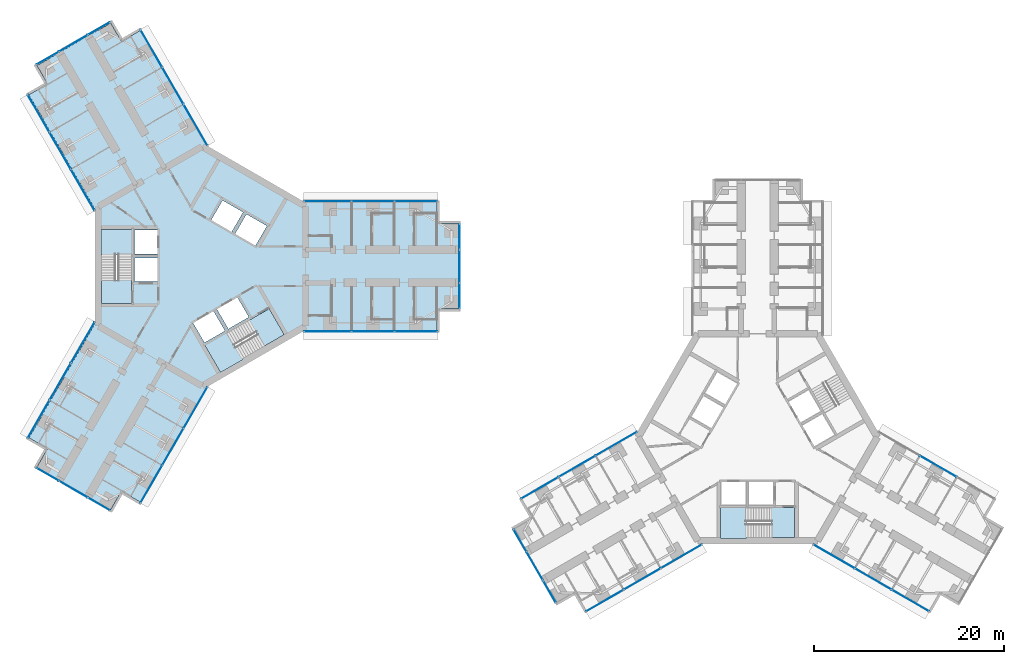
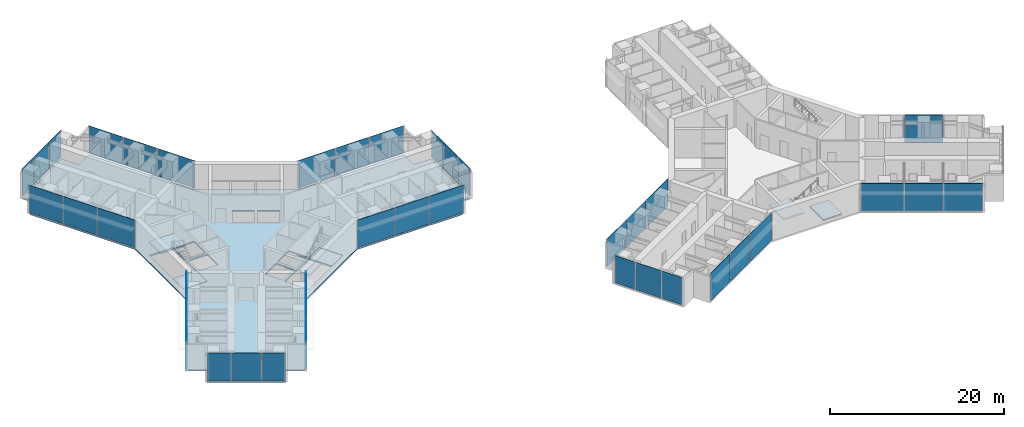
# One storey, part 14 of 25: 40 plates, 7 slabs, 17 elements without a shape of their own.
"""IFC4 building model written with IfcOpenShell, lengths in metres."""

from ifc_helpers import new_model, si_unit, direction, frame, origin, origin_2d, place, context, subcontext, project, spatial, polyline, rectangle, outline, extrude, material, layer, layer_set, type_object, element, aggregate, save


model = new_model("IFC4")

# Units and contexts
model_context = context("Model", 3, precision=1e-05, world=origin(), true_north=direction((0.0, 1.0)))
body_context = subcontext(model_context, "Body", "Model", "MODEL_VIEW")
ifc_project = project(units=[si_unit("LENGTHUNIT", "METRE"), si_unit("AREAUNIT", "SQUARE_METRE"), si_unit("VOLUMEUNIT", "CUBIC_METRE"), si_unit("PLANEANGLEUNIT", "RADIAN"), si_unit("MASSUNIT", "GRAM", prefix="KILO")], contexts=[model_context])

# Site, building, storey
site_placement = place(None, origin())
site = spatial("IfcSite", under=ifc_project, at=site_placement, CompositionType="ELEMENT")
building_placement = place(site_placement, origin())
building = spatial("IfcBuilding", under=site, at=building_placement, Name="Upepo Twin Towers", CompositionType="ELEMENT")
storey_placement = place(building_placement, frame((0.0, 0.0, 88.5)))
storey = spatial("IfcBuildingStorey", under=building, at=storey_placement, Name="L21", CompositionType="ELEMENT", Elevation=88.5)

# Curtain wall, plates
ifc_material_1 = material(Name="Aluminium and fritted glass", Category="aluminium")
curtain_wall_type = type_object("IfcCurtainWallType", Name="Tower curtain wall TW1, fritted glass", PredefinedType="NOTDEFINED", material=ifc_material_1)
curtain_wall_1_placement = place(storey_placement, origin())
curtain_wall_1 = element("IfcCurtainWall", 1, at=curtain_wall_1_placement, inside=storey, type_object=curtain_wall_type, Name="T1 L21 wing A flank L curtain wall", PredefinedType="NOTDEFINED")
ifc_material_2 = material(Name="Ceramic-fritted laminated glass", Category="glass")
ifc_layer_1 = layer(ifc_material_2, 0.031982421875)
ifc_layer_set_1 = layer_set([ifc_layer_1], Name="Fritted glass panel, 30 per cent dot frit, 32 mm double glazed")
plate_type_1 = type_object("IfcPlateType", Name="Fritted glass panel, 30 per cent dot frit, 32 mm double glazed", PredefinedType="CURTAIN_PANEL", material=ifc_layer_set_1)
plate_1_placement = place(storey_placement, frame((13.23486328125, 6.85009765625, 0.14990234375), z_axis=(0.0, 0.0, 1.0), x_axis=(1.0, 0.0, 0.0)))
plate_1 = element("IfcPlate", 2, at=plate_1_placement, type_object=plate_type_1, Name="T1 L21 wing A flank L curtain wall panel 1", PredefinedType="CURTAIN_PANEL", context=body_context, shape_type="SweptSolid", body=[
    extrude(rectangle(XDim=4.96533203125, YDim=0.031982421875, at=origin_2d()), origin(), (0.0, 0.0, 1.0), 3.85009765625),
])
plate_2_placement = place(storey_placement, frame((18.0, 6.85009765625, 0.14990234375), z_axis=(0.0, 0.0, 1.0), x_axis=(1.0, 0.0, 0.0)))
plate_2 = element("IfcPlate", 3, at=plate_2_placement, type_object=plate_type_1, Name="T1 L21 wing A flank L curtain wall panel 2", PredefinedType="CURTAIN_PANEL", context=body_context, shape_type="SweptSolid", body=[
    extrude(rectangle(XDim=4.43505859375, YDim=0.031982421875, at=origin_2d()), origin(), (0.0, 0.0, 1.0), 3.85009765625),
])
plate_3_placement = place(storey_placement, frame((22.53369140625, 6.85009765625, 0.14990234375), z_axis=(0.0, 0.0, 1.0), x_axis=(1.0, 0.0, 0.0)))
plate_3 = element("IfcPlate", 4, at=plate_3_placement, type_object=plate_type_1, Name="T1 L21 wing A flank L curtain wall panel 3", PredefinedType="CURTAIN_PANEL", context=body_context, shape_type="SweptSolid", body=[
    extrude(rectangle(XDim=4.50244140625, YDim=0.031982421875, at=origin_2d()), origin(), (0.0, 0.0, 1.0), 3.85009765625),
])
aggregate(curtain_wall_1, [plate_1, plate_2, plate_3])

curtain_wall_2_placement = place(storey_placement, origin())
curtain_wall_2 = element("IfcCurtainWall", 5, at=curtain_wall_2_placement, inside=storey, type_object=curtain_wall_type, Name="T1 L21 wing A flank R curtain wall", PredefinedType="NOTDEFINED")
plate_4_placement = place(storey_placement, frame((22.53369140625, -6.85009765625, 0.14990234375), z_axis=(0.0, 0.0, 1.0), x_axis=(-1.0, 0.0, 0.0)))
plate_4 = element("IfcPlate", 6, at=plate_4_placement, type_object=plate_type_1, Name="T1 L21 wing A flank R curtain wall panel 1", PredefinedType="CURTAIN_PANEL", context=body_context, shape_type="SweptSolid", body=[
    extrude(rectangle(XDim=4.50244140625, YDim=0.031982421875, at=origin_2d()), origin(), (0.0, 0.0, 1.0), 3.85009765625),
])
plate_5_placement = place(storey_placement, frame((18.0, -6.85009765625, 0.14990234375), z_axis=(0.0, 0.0, 1.0), x_axis=(-1.0, 0.0, 0.0)))
plate_5 = element("IfcPlate", 7, at=plate_5_placement, type_object=plate_type_1, Name="T1 L21 wing A flank R curtain wall panel 2", PredefinedType="CURTAIN_PANEL", context=body_context, shape_type="SweptSolid", body=[
    extrude(rectangle(XDim=4.43505859375, YDim=0.031982421875, at=origin_2d()), origin(), (0.0, 0.0, 1.0), 3.85009765625),
])
plate_6_placement = place(storey_placement, frame((13.23486328125, -6.85009765625, 0.14990234375), z_axis=(0.0, 0.0, 1.0), x_axis=(-1.0, 0.0, 0.0)))
plate_6 = element("IfcPlate", 8, at=plate_6_placement, type_object=plate_type_1, Name="T1 L21 wing A flank R curtain wall panel 3", PredefinedType="CURTAIN_PANEL", context=body_context, shape_type="SweptSolid", body=[
    extrude(rectangle(XDim=4.96533203125, YDim=0.031982421875, at=origin_2d()), origin(), (0.0, 0.0, 1.0), 3.85009765625),
])
aggregate(curtain_wall_2, [plate_4, plate_5, plate_6])

# Curtain wall, plate
curtain_wall_3_placement = place(storey_placement, origin())
curtain_wall_3 = element("IfcCurtainWall", 9, at=curtain_wall_3_placement, inside=storey, type_object=curtain_wall_type, Name="T1 L21 wing A nose curtain wall", PredefinedType="NOTDEFINED")
plate_7_placement = place(storey_placement, frame((27.10009765625, 0.0, 0.14990234375), z_axis=(0.0, 0.0, 1.0), x_axis=(0.0, 1.0, 0.0)))
plate_7 = element("IfcPlate", 10, at=plate_7_placement, type_object=plate_type_1, Name="T1 L21 wing A nose curtain wall panel 2", PredefinedType="CURTAIN_PANEL", context=body_context, shape_type="SweptSolid", body=[
    extrude(rectangle(XDim=3.43505859375, YDim=0.031982421875, at=origin_2d()), origin(), (0.0, 0.0, 1.0), 3.85009765625),
])

# Curtain wall, plates
curtain_wall_4_placement = place(storey_placement, origin())
curtain_wall_4 = element("IfcCurtainWall", 11, at=curtain_wall_4_placement, inside=storey, type_object=curtain_wall_type, Name="T1 L21 wing B flank L curtain wall", PredefinedType="NOTDEFINED")
plate_8_placement = place(storey_placement, frame((-12.549560546875, 8.03662109375, 0.14990234375), z_axis=(0.0, 0.0, 1.0), x_axis=(-0.500000024426, 0.866025389682, 0.0)))
plate_8 = element("IfcPlate", 12, at=plate_8_placement, type_object=plate_type_1, Name="T1 L21 wing B flank L curtain wall panel 1", PredefinedType="CURTAIN_PANEL", context=body_context, shape_type="SweptSolid", body=[
    extrude(rectangle(XDim=4.96533203125, YDim=0.031982421875, at=origin_2d()), origin(), (0.0, 0.0, 1.0), 3.85009765625),
])
plate_9_placement = place(storey_placement, frame((-14.932373046875, 12.16357421875, 0.14990234375), z_axis=(0.0, 0.0, 1.0), x_axis=(-0.500000024426, 0.866025389682, 0.0)))
plate_9 = element("IfcPlate", 13, at=plate_9_placement, type_object=plate_type_1, Name="T1 L21 wing B flank L curtain wall panel 2", PredefinedType="CURTAIN_PANEL", context=body_context, shape_type="SweptSolid", body=[
    extrude(rectangle(XDim=4.43505859375, YDim=0.031982421875, at=origin_2d()), origin(), (0.0, 0.0, 1.0), 3.85009765625),
])
plate_10_placement = place(storey_placement, frame((-17.19921875, 16.08984375, 0.14990234375), z_axis=(0.0, 0.0, 1.0), x_axis=(-0.500000024426, 0.866025389682, 0.0)))
plate_10 = element("IfcPlate", 14, at=plate_10_placement, type_object=plate_type_1, Name="T1 L21 wing B flank L curtain wall panel 3", PredefinedType="CURTAIN_PANEL", context=body_context, shape_type="SweptSolid", body=[
    extrude(rectangle(XDim=4.50244140625, YDim=0.031982421875, at=origin_2d()), origin(), (0.0, 0.0, 1.0), 3.85009765625),
])
aggregate(curtain_wall_4, [plate_8, plate_9, plate_10])

curtain_wall_5_placement = place(storey_placement, origin())
curtain_wall_5 = element("IfcCurtainWall", 15, at=curtain_wall_5_placement, inside=storey, type_object=curtain_wall_type, Name="T1 L21 wing B flank R curtain wall", PredefinedType="NOTDEFINED")
plate_11_placement = place(storey_placement, frame((-5.334716796875, 22.939697265625, 0.14990234375), z_axis=(0.0, 0.0, 1.0), x_axis=(0.500000024426, -0.866025389682, 0.0)))
plate_11 = element("IfcPlate", 16, at=plate_11_placement, type_object=plate_type_1, Name="T1 L21 wing B flank R curtain wall panel 1", PredefinedType="CURTAIN_PANEL", context=body_context, shape_type="SweptSolid", body=[
    extrude(rectangle(XDim=4.50244140625, YDim=0.031982421875, at=origin_2d()), origin(), (0.0, 0.0, 1.0), 3.85009765625),
])
plate_12_placement = place(storey_placement, frame((-3.067626953125, 19.013427734375, 0.14990234375), z_axis=(0.0, 0.0, 1.0), x_axis=(0.500000024426, -0.866025389682, 0.0)))
plate_12 = element("IfcPlate", 17, at=plate_12_placement, type_object=plate_type_1, Name="T1 L21 wing B flank R curtain wall panel 2", PredefinedType="CURTAIN_PANEL", context=body_context, shape_type="SweptSolid", body=[
    extrude(rectangle(XDim=4.43505859375, YDim=0.031982421875, at=origin_2d()), origin(), (0.0, 0.0, 1.0), 3.85009765625),
])
plate_13_placement = place(storey_placement, frame((-0.68505859375, 14.88671875, 0.14990234375), z_axis=(0.0, 0.0, 1.0), x_axis=(0.500000024426, -0.866025389682, 0.0)))
plate_13 = element("IfcPlate", 18, at=plate_13_placement, type_object=plate_type_1, Name="T1 L21 wing B flank R curtain wall panel 3", PredefinedType="CURTAIN_PANEL", context=body_context, shape_type="SweptSolid", body=[
    extrude(rectangle(XDim=4.96533203125, YDim=0.031982421875, at=origin_2d()), origin(), (0.0, 0.0, 1.0), 3.85009765625),
])
aggregate(curtain_wall_5, [plate_11, plate_12, plate_13])

# Curtain wall, plate
curtain_wall_6_placement = place(storey_placement, origin())
curtain_wall_6 = element("IfcCurtainWall", 19, at=curtain_wall_6_placement, inside=storey, type_object=curtain_wall_type, Name="T1 L21 wing B nose curtain wall", PredefinedType="NOTDEFINED")
plate_14_placement = place(storey_placement, frame((-13.550048828125, 23.46923828125, 0.14990234375), z_axis=(0.0, 0.0, 1.0), x_axis=(-0.866025386174, -0.500000030502, 0.0)))
plate_14 = element("IfcPlate", 20, at=plate_14_placement, type_object=plate_type_1, Name="T1 L21 wing B nose curtain wall panel 2", PredefinedType="CURTAIN_PANEL", context=body_context, shape_type="SweptSolid", body=[
    extrude(rectangle(XDim=3.43505859375, YDim=0.031982421875, at=origin_2d()), origin(), (0.0, 0.0, 1.0), 3.85009765625),
])

# Curtain wall, plates
curtain_wall_7_placement = place(storey_placement, origin())
curtain_wall_7 = element("IfcCurtainWall", 21, at=curtain_wall_7_placement, inside=storey, type_object=curtain_wall_type, Name="T1 L21 wing C flank L curtain wall", PredefinedType="NOTDEFINED")
plate_15_placement = place(storey_placement, frame((-0.68505859375, -14.88671875, 0.14990234375), z_axis=(0.0, 0.0, 1.0), x_axis=(-0.500000024426, -0.866025389682, 0.0)))
plate_15 = element("IfcPlate", 22, at=plate_15_placement, type_object=plate_type_1, Name="T1 L21 wing C flank L curtain wall panel 1", PredefinedType="CURTAIN_PANEL", context=body_context, shape_type="SweptSolid", body=[
    extrude(rectangle(XDim=4.96533203125, YDim=0.031982421875, at=origin_2d()), origin(), (0.0, 0.0, 1.0), 3.85009765625),
])
plate_16_placement = place(storey_placement, frame((-3.067626953125, -19.013427734375, 0.14990234375), z_axis=(0.0, 0.0, 1.0), x_axis=(-0.500000024426, -0.866025389682, 0.0)))
plate_16 = element("IfcPlate", 23, at=plate_16_placement, type_object=plate_type_1, Name="T1 L21 wing C flank L curtain wall panel 2", PredefinedType="CURTAIN_PANEL", context=body_context, shape_type="SweptSolid", body=[
    extrude(rectangle(XDim=4.43505859375, YDim=0.031982421875, at=origin_2d()), origin(), (0.0, 0.0, 1.0), 3.85009765625),
])
plate_17_placement = place(storey_placement, frame((-5.334716796875, -22.939697265625, 0.14990234375), z_axis=(0.0, 0.0, 1.0), x_axis=(-0.500000024426, -0.866025389682, 0.0)))
plate_17 = element("IfcPlate", 24, at=plate_17_placement, type_object=plate_type_1, Name="T1 L21 wing C flank L curtain wall panel 3", PredefinedType="CURTAIN_PANEL", context=body_context, shape_type="SweptSolid", body=[
    extrude(rectangle(XDim=4.50244140625, YDim=0.031982421875, at=origin_2d()), origin(), (0.0, 0.0, 1.0), 3.85009765625),
])
aggregate(curtain_wall_7, [plate_15, plate_16, plate_17])

curtain_wall_8_placement = place(storey_placement, origin())
curtain_wall_8 = element("IfcCurtainWall", 25, at=curtain_wall_8_placement, inside=storey, type_object=curtain_wall_type, Name="T1 L21 wing C flank R curtain wall", PredefinedType="NOTDEFINED")
plate_18_placement = place(storey_placement, frame((-17.19921875, -16.08984375, 0.14990234375), z_axis=(0.0, 0.0, 1.0), x_axis=(0.500000024426, 0.866025389682, 0.0)))
plate_18 = element("IfcPlate", 26, at=plate_18_placement, type_object=plate_type_1, Name="T1 L21 wing C flank R curtain wall panel 1", PredefinedType="CURTAIN_PANEL", context=body_context, shape_type="SweptSolid", body=[
    extrude(rectangle(XDim=4.50244140625, YDim=0.031982421875, at=origin_2d()), origin(), (0.0, 0.0, 1.0), 3.85009765625),
])
plate_19_placement = place(storey_placement, frame((-14.932373046875, -12.16357421875, 0.14990234375), z_axis=(0.0, 0.0, 1.0), x_axis=(0.500000024426, 0.866025389682, 0.0)))
plate_19 = element("IfcPlate", 27, at=plate_19_placement, type_object=plate_type_1, Name="T1 L21 wing C flank R curtain wall panel 2", PredefinedType="CURTAIN_PANEL", context=body_context, shape_type="SweptSolid", body=[
    extrude(rectangle(XDim=4.43505859375, YDim=0.031982421875, at=origin_2d()), origin(), (0.0, 0.0, 1.0), 3.85009765625),
])
plate_20_placement = place(storey_placement, frame((-12.549560546875, -8.03662109375, 0.14990234375), z_axis=(0.0, 0.0, 1.0), x_axis=(0.500000024426, 0.866025389682, 0.0)))
plate_20 = element("IfcPlate", 28, at=plate_20_placement, type_object=plate_type_1, Name="T1 L21 wing C flank R curtain wall panel 3", PredefinedType="CURTAIN_PANEL", context=body_context, shape_type="SweptSolid", body=[
    extrude(rectangle(XDim=4.96533203125, YDim=0.031982421875, at=origin_2d()), origin(), (0.0, 0.0, 1.0), 3.85009765625),
])
aggregate(curtain_wall_8, [plate_18, plate_19, plate_20])

# Curtain wall, plate
curtain_wall_9_placement = place(storey_placement, origin())
curtain_wall_9 = element("IfcCurtainWall", 29, at=curtain_wall_9_placement, inside=storey, type_object=curtain_wall_type, Name="T1 L21 wing C nose curtain wall", PredefinedType="NOTDEFINED")
plate_21_placement = place(storey_placement, frame((-13.550048828125, -23.46923828125, 0.14990234375), z_axis=(0.0, 0.0, 1.0), x_axis=(0.866025386174, -0.500000030502, 0.0)))
plate_21 = element("IfcPlate", 30, at=plate_21_placement, type_object=plate_type_1, Name="T1 L21 wing C nose curtain wall panel 2", PredefinedType="CURTAIN_PANEL", context=body_context, shape_type="SweptSolid", body=[
    extrude(rectangle(XDim=3.43505859375, YDim=0.031982421875, at=origin_2d()), origin(), (0.0, 0.0, 1.0), 3.85009765625),
])

# Curtain wall, plates
curtain_wall_10_placement = place(storey_placement, origin())
curtain_wall_10 = element("IfcCurtainWall", 31, at=curtain_wall_10_placement, inside=storey, type_object=curtain_wall_type, Name="T2 L21 wing B flank L curtain wall", PredefinedType="NOTDEFINED")
plate_22_placement = place(storey_placement, frame((50.46337890625, -30.549560546875, 0.14990234375), z_axis=(0.0, 0.0, 1.0), x_axis=(-0.866025389682, -0.500000024426, 0.0)))
plate_22 = element("IfcPlate", 32, at=plate_22_placement, type_object=plate_type_1, Name="T2 L21 wing B flank L curtain wall panel 1", PredefinedType="CURTAIN_PANEL", context=body_context, shape_type="SweptSolid", body=[
    extrude(rectangle(XDim=4.96533203125, YDim=0.031982421875, at=origin_2d()), origin(), (0.0, 0.0, 1.0), 3.85009765625),
])
plate_23_placement = place(storey_placement, frame((46.33642578125, -32.932373046875, 0.14990234375), z_axis=(0.0, 0.0, 1.0), x_axis=(-0.866025389682, -0.500000024426, 0.0)))
plate_23 = element("IfcPlate", 33, at=plate_23_placement, type_object=plate_type_1, Name="T2 L21 wing B flank L curtain wall panel 2", PredefinedType="CURTAIN_PANEL", context=body_context, shape_type="SweptSolid", body=[
    extrude(rectangle(XDim=4.43505859375, YDim=0.031982421875, at=origin_2d()), origin(), (0.0, 0.0, 1.0), 3.85009765625),
])
plate_24_placement = place(storey_placement, frame((42.41015625, -35.19921875, 0.14990234375), z_axis=(0.0, 0.0, 1.0), x_axis=(-0.866025389682, -0.500000024426, 0.0)))
plate_24 = element("IfcPlate", 34, at=plate_24_placement, type_object=plate_type_1, Name="T2 L21 wing B flank L curtain wall panel 3", PredefinedType="CURTAIN_PANEL", context=body_context, shape_type="SweptSolid", body=[
    extrude(rectangle(XDim=4.50244140625, YDim=0.031982421875, at=origin_2d()), origin(), (0.0, 0.0, 1.0), 3.85009765625),
])
aggregate(curtain_wall_10, [plate_22, plate_23, plate_24])

curtain_wall_11_placement = place(storey_placement, origin())
curtain_wall_11 = element("IfcCurtainWall", 35, at=curtain_wall_11_placement, inside=storey, type_object=curtain_wall_type, Name="T2 L21 wing B flank R curtain wall", PredefinedType="NOTDEFINED")
plate_25_placement = place(storey_placement, frame((35.560302734375, -23.334716796875, 0.14990234375), z_axis=(0.0, 0.0, 1.0), x_axis=(0.866025389682, 0.500000024426, 0.0)))
plate_25 = element("IfcPlate", 36, at=plate_25_placement, type_object=plate_type_1, Name="T2 L21 wing B flank R curtain wall panel 1", PredefinedType="CURTAIN_PANEL", context=body_context, shape_type="SweptSolid", body=[
    extrude(rectangle(XDim=4.50244140625, YDim=0.031982421875, at=origin_2d()), origin(), (0.0, 0.0, 1.0), 3.85009765625),
])
plate_26_placement = place(storey_placement, frame((39.486572265625, -21.067626953125, 0.14990234375), z_axis=(0.0, 0.0, 1.0), x_axis=(0.866025389682, 0.500000024426, 0.0)))
plate_26 = element("IfcPlate", 37, at=plate_26_placement, type_object=plate_type_1, Name="T2 L21 wing B flank R curtain wall panel 2", PredefinedType="CURTAIN_PANEL", context=body_context, shape_type="SweptSolid", body=[
    extrude(rectangle(XDim=4.43505859375, YDim=0.031982421875, at=origin_2d()), origin(), (0.0, 0.0, 1.0), 3.85009765625),
])
plate_27_placement = place(storey_placement, frame((43.61328125, -18.68505859375, 0.14990234375), z_axis=(0.0, 0.0, 1.0), x_axis=(0.866025389682, 0.500000024426, 0.0)))
plate_27 = element("IfcPlate", 38, at=plate_27_placement, type_object=plate_type_1, Name="T2 L21 wing B flank R curtain wall panel 3", PredefinedType="CURTAIN_PANEL", context=body_context, shape_type="SweptSolid", body=[
    extrude(rectangle(XDim=4.96533203125, YDim=0.031982421875, at=origin_2d()), origin(), (0.0, 0.0, 1.0), 3.85009765625),
])
aggregate(curtain_wall_11, [plate_25, plate_26, plate_27])

# Curtain wall, plate
curtain_wall_12_placement = place(storey_placement, origin())
curtain_wall_12 = element("IfcCurtainWall", 39, at=curtain_wall_12_placement, inside=storey, type_object=curtain_wall_type, Name="T2 L21 wing B nose curtain wall", PredefinedType="NOTDEFINED")
plate_28_placement = place(storey_placement, frame((35.03076171875, -31.550048828125, 0.14990234375), z_axis=(0.0, 0.0, 1.0), x_axis=(0.500000030502, -0.866025386174, 0.0)))
plate_28 = element("IfcPlate", 40, at=plate_28_placement, type_object=plate_type_1, Name="T2 L21 wing B nose curtain wall panel 2", PredefinedType="CURTAIN_PANEL", context=body_context, shape_type="SweptSolid", body=[
    extrude(rectangle(XDim=3.43505859375, YDim=0.031982421875, at=origin_2d()), origin(), (0.0, 0.0, 1.0), 3.85009765625),
])

curtain_wall_13_placement = place(storey_placement, origin())
curtain_wall_13 = element("IfcCurtainWall", 41, at=curtain_wall_13_placement, inside=storey, type_object=curtain_wall_type, Name="T2 L21 wing C flank L curtain wall", PredefinedType="NOTDEFINED")
plate_29_placement = place(storey_placement, frame((77.513427734375, -21.067626953125, 0.14990234375), z_axis=(0.0, 0.0, 1.0), x_axis=(0.866025389682, -0.500000024426, 0.0)))
plate_29 = element("IfcPlate", 42, at=plate_29_placement, type_object=plate_type_1, Name="T2 L21 wing C flank L curtain wall panel 2", PredefinedType="CURTAIN_PANEL", context=body_context, shape_type="SweptSolid", body=[
    extrude(rectangle(XDim=4.43505859375, YDim=0.031982421875, at=origin_2d()), origin(), (0.0, 0.0, 1.0), 3.85009765625),
])
aggregate(curtain_wall_13, [plate_29])

# Curtain wall, plates
curtain_wall_14_placement = place(storey_placement, origin())
curtain_wall_14 = element("IfcCurtainWall", 43, at=curtain_wall_14_placement, inside=storey, type_object=curtain_wall_type, Name="T2 L21 wing C flank R curtain wall", PredefinedType="NOTDEFINED")
plate_30_placement = place(storey_placement, frame((74.58984375, -35.19921875, 0.14990234375), z_axis=(0.0, 0.0, 1.0), x_axis=(-0.866025389682, 0.500000024426, 0.0)))
plate_30 = element("IfcPlate", 44, at=plate_30_placement, type_object=plate_type_1, Name="T2 L21 wing C flank R curtain wall panel 1", PredefinedType="CURTAIN_PANEL", context=body_context, shape_type="SweptSolid", body=[
    extrude(rectangle(XDim=4.50244140625, YDim=0.031982421875, at=origin_2d()), origin(), (0.0, 0.0, 1.0), 3.85009765625),
])
plate_31_placement = place(storey_placement, frame((70.66357421875, -32.932373046875, 0.14990234375), z_axis=(0.0, 0.0, 1.0), x_axis=(-0.866025389682, 0.500000024426, 0.0)))
plate_31 = element("IfcPlate", 45, at=plate_31_placement, type_object=plate_type_1, Name="T2 L21 wing C flank R curtain wall panel 2", PredefinedType="CURTAIN_PANEL", context=body_context, shape_type="SweptSolid", body=[
    extrude(rectangle(XDim=4.43505859375, YDim=0.031982421875, at=origin_2d()), origin(), (0.0, 0.0, 1.0), 3.85009765625),
])
plate_32_placement = place(storey_placement, frame((66.53662109375, -30.549560546875, 0.14990234375), z_axis=(0.0, 0.0, 1.0), x_axis=(-0.866025389682, 0.500000024426, 0.0)))
plate_32 = element("IfcPlate", 46, at=plate_32_placement, type_object=plate_type_1, Name="T2 L21 wing C flank R curtain wall panel 3", PredefinedType="CURTAIN_PANEL", context=body_context, shape_type="SweptSolid", body=[
    extrude(rectangle(XDim=4.96533203125, YDim=0.031982421875, at=origin_2d()), origin(), (0.0, 0.0, 1.0), 3.85009765625),
])
aggregate(curtain_wall_14, [plate_30, plate_31, plate_32])

# Plate
ifc_material_3 = material(Name="Clear laminated glass in opening sash", Category="glass")
ifc_layer_2 = layer(ifc_material_3, 0.031982421875)
ifc_layer_set_2 = layer_set([ifc_layer_2], Name="Operable glass panel, 32 mm double glazed")
plate_type_2 = type_object("IfcPlateType", Name="Operable glass panel, 32 mm double glazed", PredefinedType="CURTAIN_PANEL", material=ifc_layer_set_2)
plate_33_placement = place(storey_placement, frame((27.10009765625, -3.108642578125, 0.14990234375), z_axis=(0.0, 0.0, 1.0), x_axis=(0.0, 1.0, 0.0)))
plate_33 = element("IfcPlate", 47, at=plate_33_placement, type_object=plate_type_2, Name="T1 L21 wing A nose curtain wall panel 1", PredefinedType="CURTAIN_PANEL", context=body_context, shape_type="SweptSolid", body=[
    extrude(rectangle(XDim=2.652587890625, YDim=0.031982421875, at=origin_2d()), origin(), (0.0, 0.0, 1.0), 3.85009765625),
])

plate_34_placement = place(storey_placement, frame((27.10009765625, 3.108642578125, 0.14990234375), z_axis=(0.0, 0.0, 1.0), x_axis=(0.0, 1.0, 0.0)))
plate_34 = element("IfcPlate", 48, at=plate_34_placement, type_object=plate_type_2, Name="T1 L21 wing A nose curtain wall panel 3", PredefinedType="CURTAIN_PANEL", context=body_context, shape_type="SweptSolid", body=[
    extrude(rectangle(XDim=2.652587890625, YDim=0.031982421875, at=origin_2d()), origin(), (0.0, 0.0, 1.0), 3.85009765625),
])

aggregate(curtain_wall_3, [plate_33, plate_7, plate_34])

plate_35_placement = place(storey_placement, frame((-10.857666015625, 25.023681640625, 0.14990234375), z_axis=(0.0, 0.0, 1.0), x_axis=(-0.866025386174, -0.500000030502, 0.0)))
plate_35 = element("IfcPlate", 49, at=plate_35_placement, type_object=plate_type_2, Name="T1 L21 wing B nose curtain wall panel 1", PredefinedType="CURTAIN_PANEL", context=body_context, shape_type="SweptSolid", body=[
    extrude(rectangle(XDim=2.652587890625, YDim=0.031982421875, at=origin_2d()), origin(), (0.0, 0.0, 1.0), 3.85009765625),
])

plate_36_placement = place(storey_placement, frame((-16.2421875, 21.914794921875, 0.14990234375), z_axis=(0.0, 0.0, 1.0), x_axis=(-0.866025386174, -0.500000030502, 0.0)))
plate_36 = element("IfcPlate", 50, at=plate_36_placement, type_object=plate_type_2, Name="T1 L21 wing B nose curtain wall panel 3", PredefinedType="CURTAIN_PANEL", context=body_context, shape_type="SweptSolid", body=[
    extrude(rectangle(XDim=2.652587890625, YDim=0.031982421875, at=origin_2d()), origin(), (0.0, 0.0, 1.0), 3.85009765625),
])

aggregate(curtain_wall_6, [plate_35, plate_14, plate_36])

plate_37_placement = place(storey_placement, frame((-16.2421875, -21.914794921875, 0.14990234375), z_axis=(0.0, 0.0, 1.0), x_axis=(0.866025386174, -0.500000030502, 0.0)))
plate_37 = element("IfcPlate", 51, at=plate_37_placement, type_object=plate_type_2, Name="T1 L21 wing C nose curtain wall panel 1", PredefinedType="CURTAIN_PANEL", context=body_context, shape_type="SweptSolid", body=[
    extrude(rectangle(XDim=2.652587890625, YDim=0.031982421875, at=origin_2d()), origin(), (0.0, 0.0, 1.0), 3.85009765625),
])

plate_38_placement = place(storey_placement, frame((-10.857666015625, -25.023681640625, 0.14990234375), z_axis=(0.0, 0.0, 1.0), x_axis=(0.866025386174, -0.500000030502, 0.0)))
plate_38 = element("IfcPlate", 52, at=plate_38_placement, type_object=plate_type_2, Name="T1 L21 wing C nose curtain wall panel 3", PredefinedType="CURTAIN_PANEL", context=body_context, shape_type="SweptSolid", body=[
    extrude(rectangle(XDim=2.652587890625, YDim=0.031982421875, at=origin_2d()), origin(), (0.0, 0.0, 1.0), 3.85009765625),
])

aggregate(curtain_wall_9, [plate_37, plate_21, plate_38])

plate_39_placement = place(storey_placement, frame((33.476318359375, -28.857666015625, 0.14990234375), z_axis=(0.0, 0.0, 1.0), x_axis=(0.500000030502, -0.866025386174, 0.0)))
plate_39 = element("IfcPlate", 53, at=plate_39_placement, type_object=plate_type_2, Name="T2 L21 wing B nose curtain wall panel 1", PredefinedType="CURTAIN_PANEL", context=body_context, shape_type="SweptSolid", body=[
    extrude(rectangle(XDim=2.652587890625, YDim=0.031982421875, at=origin_2d()), origin(), (0.0, 0.0, 1.0), 3.85009765625),
])

plate_40_placement = place(storey_placement, frame((36.585205078125, -34.2421875, 0.14990234375), z_axis=(0.0, 0.0, 1.0), x_axis=(0.500000030502, -0.866025386174, 0.0)))
plate_40 = element("IfcPlate", 54, at=plate_40_placement, type_object=plate_type_2, Name="T2 L21 wing B nose curtain wall panel 3", PredefinedType="CURTAIN_PANEL", context=body_context, shape_type="SweptSolid", body=[
    extrude(rectangle(XDim=2.652587890625, YDim=0.031982421875, at=origin_2d()), origin(), (0.0, 0.0, 1.0), 3.85009765625),
])

aggregate(curtain_wall_12, [plate_39, plate_28, plate_40])

# Stair, slabs
ifc_material_4 = material(Name="Concrete C40/50", Category="concrete")
stair_type = type_object("IfcStairType", Name="Core stair, two flights", PredefinedType="HALF_TURN_STAIR", material=ifc_material_4)
stair_1_placement = place(storey_placement, origin())
stair_1 = element("IfcStair", 55, at=stair_1_placement, inside=storey, type_object=stair_type, Name="T1 stair S1 L21", PredefinedType="HALF_TURN_STAIR")
ifc_material_5 = material(Name="Concrete C40/50", Category="concrete")
ifc_layer_3 = layer(ifc_material_5, 0.199951171875)
ifc_layer_set_3 = layer_set([ifc_layer_3], Name="Concrete C40/50")
slab_type_1 = type_object("IfcSlabType", Name="Stair landing 200 RC", PredefinedType="LANDING", material=ifc_layer_set_3)
slab_1_placement = place(storey_placement, frame((0.0, 0.0, -0.199951171875)))
slab_1 = element("IfcSlab", 56, at=slab_1_placement, type_object=slab_type_1, Name="Stair S1 landing 1", PredefinedType="LANDING", context=body_context, shape_type="SweptSolid", body=[
    extrude(outline(polyline([(-7.39990234375, -1.419921875), (-10.558349609375, -1.419921875), (-10.558349609375, -3.89990234375), (-7.39990234375, -3.89990234375), (-7.39990234375, -1.419921875)])), origin(), (0.0, 0.0, 1.0), 0.199951171875),
])
slab_2_placement = place(storey_placement, frame((0.0, 0.0, 1.800048828125)))
slab_2 = element("IfcSlab", 57, at=slab_2_placement, type_object=slab_type_1, Name="Stair S1 landing 2", PredefinedType="LANDING", context=body_context, shape_type="SweptSolid", body=[
    extrude(outline(polyline([(-7.300048828125, 3.89990234375), (-10.658447265625, 3.89990234375), (-10.658447265625, 1.179931640625), (-7.300048828125, 1.179931640625), (-7.300048828125, 3.89990234375)])), origin(), (0.0, 0.0, 1.0), 0.199951171875),
])
aggregate(stair_1, [slab_1, slab_2])

stair_2_placement = place(storey_placement, origin())
stair_2 = element("IfcStair", 58, at=stair_2_placement, inside=storey, type_object=stair_type, Name="T1 stair S2 L21", PredefinedType="HALF_TURN_STAIR")
slab_3_placement = place(storey_placement, frame((0.0, 0.0, -0.199951171875)))
slab_3 = element("IfcSlab", 59, at=slab_3_placement, type_object=slab_type_1, Name="Stair S2 landing 1", PredefinedType="LANDING", context=body_context, shape_type="SweptSolid", body=[
    extrude(outline(polyline([(4.9296875, -5.698486328125), (6.509033203125, -8.433837890625), (8.65673828125, -7.19384765625), (7.077392578125, -4.45849609375), (4.9296875, -5.698486328125)])), origin(), (0.0, 0.0, 1.0), 0.199951171875),
])
slab_4_placement = place(storey_placement, frame((0.0, 0.0, 1.800048828125)))
slab_4 = element("IfcSlab", 60, at=slab_4_placement, type_object=slab_type_1, Name="Stair S2 landing 2", PredefinedType="LANDING", context=body_context, shape_type="SweptSolid", body=[
    extrude(outline(polyline([(0.2724609375, -8.27197265625), (1.95166015625, -11.180419921875), (4.307373046875, -9.8203125), (2.628173828125, -6.911865234375), (0.2724609375, -8.27197265625)])), origin(), (0.0, 0.0, 1.0), 0.199951171875),
])
aggregate(stair_2, [slab_3, slab_4])

stair_3_placement = place(storey_placement, origin())
stair_3 = element("IfcStair", 61, at=stair_3_placement, inside=storey, type_object=stair_type, Name="T2 stair S1 L21", PredefinedType="HALF_TURN_STAIR")
slab_5_placement = place(storey_placement, frame((0.0, 0.0, -0.199951171875)))
slab_5 = element("IfcSlab", 62, at=slab_5_placement, type_object=slab_type_1, Name="Stair S1 landing 1", PredefinedType="LANDING", context=body_context, shape_type="SweptSolid", body=[
    extrude(outline(polyline([(59.919921875, -25.39990234375), (59.919921875, -28.558349609375), (62.39990234375, -28.558349609375), (62.39990234375, -25.39990234375), (59.919921875, -25.39990234375)])), origin(), (0.0, 0.0, 1.0), 0.199951171875),
])
slab_6_placement = place(storey_placement, frame((0.0, 0.0, 1.800048828125)))
slab_6 = element("IfcSlab", 63, at=slab_6_placement, type_object=slab_type_1, Name="Stair S1 landing 2", PredefinedType="LANDING", context=body_context, shape_type="SweptSolid", body=[
    extrude(outline(polyline([(54.60009765625, -25.300048828125), (54.60009765625, -28.658447265625), (57.320068359375, -28.658447265625), (57.320068359375, -25.300048828125), (54.60009765625, -25.300048828125)])), origin(), (0.0, 0.0, 1.0), 0.199951171875),
])
aggregate(stair_3, [slab_5, slab_6])

# Slab
ifc_material_6 = material(Name="Concrete C40/50", Category="concrete")
ifc_layer_4 = layer(ifc_material_6, 0.199951171875)
ifc_layer_set_4 = layer_set([ifc_layer_4], Name="Concrete C40/50")
slab_type_2 = type_object("IfcSlabType", Name="Tower floor slab 200 RC", PredefinedType="FLOOR", material=ifc_layer_set_4)
slab_7_placement = place(storey_placement, frame((0.0, 0.0, -0.199951171875)))
element("IfcSlab", 64, at=slab_7_placement, inside=storey, type_object=slab_type_2, Name="T1 L21 floor slab", PredefinedType="FLOOR", context=body_context, shape_type="SweptSolid", body=[
    extrude(outline(polyline([(-8.477783203125, -23.68408203125), (-9.602783203125, -25.632568359375), (-17.397216796875, -21.132568359375), (-16.272216796875, -19.18408203125), (-18.220703125, -18.05908203125), (-11.25830078125, -6.0), (-11.25830078125, 6.0), (-18.220703125, 18.05908203125), (-16.272216796875, 19.18408203125), (-17.397216796875, 21.132568359375), (-9.602783203125, 25.632568359375), (-8.477783203125, 23.68408203125), (-6.529296875, 24.80908203125), (0.43310546875, 12.75), (10.825439453125, 6.75), (24.75, 6.75), (24.75, 4.5), (27.0, 4.5), (27.0, -4.5), (24.75, -4.5), (24.75, -6.75), (10.825439453125, -6.75), (0.43310546875, -12.75), (-6.529296875, -24.80908203125), (-8.477783203125, -23.68408203125)]), holes=[polyline([(5.640869140625, 2.17041015625), (6.8408203125, 4.248779296875), (4.67578125, 5.498779296875), (3.475830078125, 3.42041015625), (5.640869140625, 2.17041015625)]), polyline([(3.12939453125, 3.620361328125), (4.329345703125, 5.69873046875), (2.164306640625, 6.94873046875), (0.96435546875, 4.870361328125), (3.12939453125, 3.620361328125)]), polyline([(-4.699951171875, 3.800048828125), (-7.10009765625, 3.800048828125), (-7.10009765625, 1.300048828125), (-4.699951171875, 1.300048828125), (-4.699951171875, 3.800048828125)]), polyline([(-4.699951171875, 0.89990234375), (-7.10009765625, 0.89990234375), (-7.10009765625, -1.60009765625), (-4.699951171875, -1.60009765625), (-4.699951171875, 0.89990234375)]), polyline([(-7.39990234375, 3.89990234375), (-10.558349609375, 3.89990234375), (-10.558349609375, -3.89990234375), (-7.39990234375, -3.89990234375), (-7.39990234375, 3.89990234375)]), polyline([(-0.94091796875, -5.97021484375), (0.259033203125, -8.048828125), (2.424072265625, -6.798828125), (1.22412109375, -4.72021484375), (-0.94091796875, -5.97021484375)]), polyline([(1.570556640625, -4.520263671875), (2.7705078125, -6.598876953125), (4.935546875, -5.348876953125), (3.735595703125, -3.270263671875), (1.570556640625, -4.520263671875)]), polyline([(0.322509765625, -8.358642578125), (1.901611328125, -11.09375), (8.65673828125, -7.19384765625), (7.077392578125, -4.45849609375), (0.322509765625, -8.358642578125)])]), origin(), (0.0, 0.0, 1.0), 0.199951171875),
])

save(model, "model.ifc")
